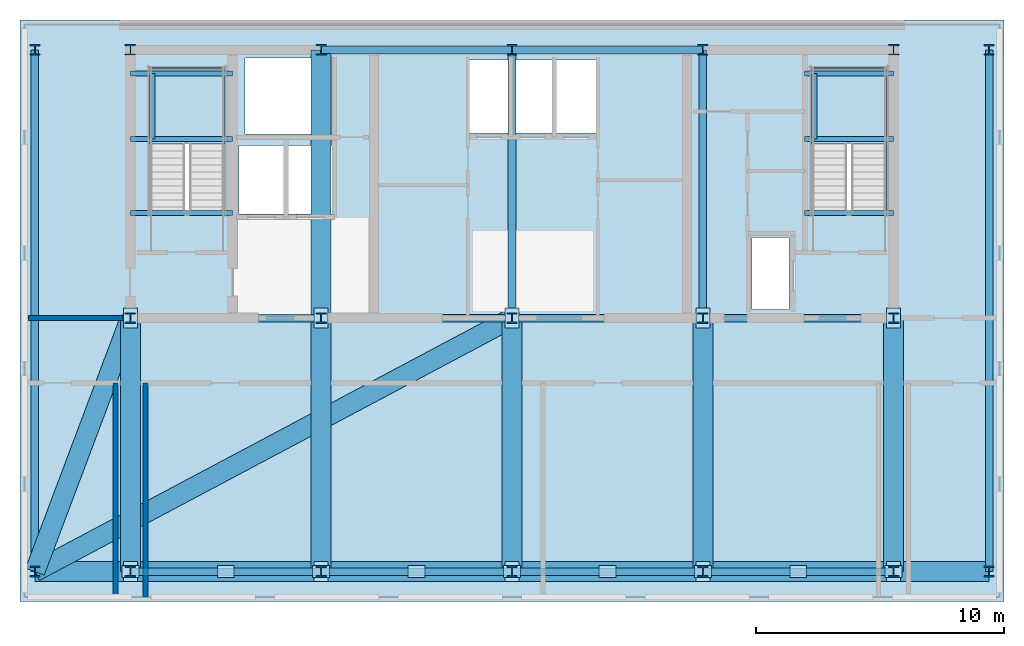
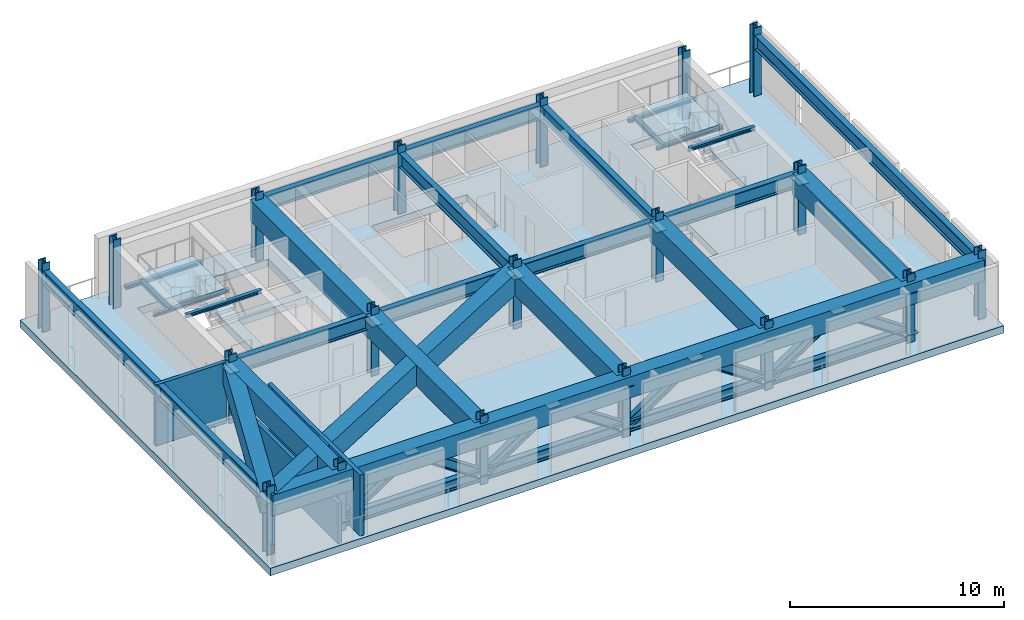
# One storey, part 1 of 8: 27 beams, 19 columns, 19 plates, 12 members, 3 slabs, 3 walls, 2 elements without a shape of their own.
"""IFC4 building model written with IfcOpenShell, lengths in metres."""

import ifcopenshell
import ifcopenshell.guid

model = None  # the IFC model being written
_history = None  # IfcOwnerHistory: only IFC2X3 demands one
_inside = {}  # id of a spatial element -> (the spatial element, [elements in it])
_under = {}  # id of a project, library or spatial element -> (it, [spatial elements below it])
_declared = {}  # id of a project -> (the project, [libraries it declares])
_typed = {}  # id of a type object -> (the type object, [elements of that type])
_made_of = {}  # id of a material, layer set ... -> (it, [elements and type objects made of it])


def new_model(schema):
    """Start an empty IFC model of exactly this schema.

    Asked for "IFC4X3", IfcOpenShell would pick the latest addendum, in which some entities
    have other attributes; the version numbers below select the first issue.
    IFC2X3 requires an IfcOwnerHistory on every rooted entity: one is made here for all.
    """
    global model, _history
    if schema == "IFC4X3":
        model = ifcopenshell.file(schema_version=(4, 3, 0, 0))
    else:
        model = ifcopenshell.file(schema=schema)
    _inside.clear()
    _under.clear()
    _declared.clear()
    _typed.clear()
    _made_of.clear()
    _history = None
    if model.schema == "IFC2X3":
        org = make("IfcOrganization", Name="unknown")
        user = make(
            "IfcPersonAndOrganization",
            ThePerson=make("IfcPerson", FamilyName="unknown"),
            TheOrganization=org,
        )
        app = make(
            "IfcApplication",
            ApplicationDeveloper=org,
            Version="unknown",
            ApplicationFullName="unknown",
            ApplicationIdentifier="unknown",
        )
        _history = make(
            "IfcOwnerHistory",
            OwningUser=user,
            OwningApplication=app,
            ChangeAction="ADDED",
            CreationDate=0,
        )
    return model


def make(cls, **values):
    """One entity of the class cls with the attributes given. An attribute that is None is left unset."""
    return model.create_entity(
        cls, **{name: value for name, value in values.items() if value is not None}
    )


def rooted(cls, **values):
    """An entity with a GlobalId (a new one), such as an element, a storey or a relation."""
    return make(cls, GlobalId=ifcopenshell.guid.new(), OwnerHistory=_history, **values)


def si_unit(unit_type, name, prefix=None):
    """IfcSIUnit, for example si_unit("LENGTHUNIT", "METRE", prefix="MILLI")."""
    return make("IfcSIUnit", UnitType=unit_type, Prefix=prefix, Name=name)


def assignment(units):
    """IfcUnitAssignment: the units of a project."""
    return None if units is None else make("IfcUnitAssignment", Units=units)


def point(xyz):
    """IfcCartesianPoint."""
    return None if xyz is None else make("IfcCartesianPoint", Coordinates=xyz)


def direction(xyz):
    """IfcDirection."""
    return None if xyz is None else make("IfcDirection", DirectionRatios=xyz)


def frame(location, z_axis=None, x_axis=None):
    """IfcAxis2Placement3D, a coordinate frame: its origin and axes. An axis left out is left unset."""
    return make(
        "IfcAxis2Placement3D",
        Location=point(location),
        Axis=direction(z_axis),
        RefDirection=direction(x_axis),
    )


def frame_2d(location, x_axis=None):
    """IfcAxis2Placement2D, a coordinate frame in the plane: its origin and x axis."""
    return make(
        "IfcAxis2Placement2D", Location=point(location), RefDirection=direction(x_axis)
    )


def origin():
    """The frame at (0, 0, 0) with its axes left unset."""
    return frame((0.0, 0.0, 0.0))


def origin_2d():
    """The frame at (0, 0) in the plane with its x axis left unset."""
    return frame_2d((0.0, 0.0))


def place(relative_to, where):
    """IfcLocalPlacement: puts the frame where relative to a parent placement (None: the world)."""
    return make(
        "IfcLocalPlacement", PlacementRelTo=relative_to, RelativePlacement=where
    )


def context(
    kind, dimensions, precision=None, world=None, true_north=None, identifier=None
):
    """IfcGeometricRepresentationContext, for example the 3D "Model" context."""
    return make(
        "IfcGeometricRepresentationContext",
        ContextIdentifier=identifier,
        ContextType=kind,
        CoordinateSpaceDimension=dimensions,
        Precision=precision,
        WorldCoordinateSystem=world,
        TrueNorth=true_north,
    )


def subcontext(parent, identifier, kind, view, scale=None):
    """IfcGeometricRepresentationSubContext, for example "Body" below "Model"."""
    return make(
        "IfcGeometricRepresentationSubContext",
        ContextIdentifier=identifier,
        ContextType=kind,
        ParentContext=parent,
        TargetScale=scale,
        TargetView=view,
    )


def project(units=None, contexts=None):
    """IfcProject with its units and contexts."""
    return rooted(
        "IfcProject",
        Name="project",
        RepresentationContexts=contexts,
        UnitsInContext=assignment(units),
    )


def spatial(cls, under=None, at=None, **own):
    """A site, building, storey or space (cls), placed at a placement, below another one or the project."""
    s = rooted(cls, ObjectPlacement=at, **own)
    if under is not None:
        _under.setdefault(under.id(), (under, []))[1].append(s)
    return s


def polyline(points):
    """IfcPolyline through the points."""
    return make("IfcPolyline", Points=[point(p) for p in points])


def profile(cls, at=None, kind="AREA", **sizes):
    """A parametric profile (cls). Its sizes go by their IFC names, for example OverallWidth=200.0."""
    return make(cls, ProfileType=kind, Position=at, **sizes)


def rectangle(**sizes):
    """IfcRectangleProfileDef."""
    return profile("IfcRectangleProfileDef", **sizes)


def i_section(**sizes):
    """IfcIShapeProfileDef."""
    return profile("IfcIShapeProfileDef", **sizes)


def outline(outer, holes=None, kind="AREA"):
    """IfcArbitraryClosedProfileDef: a profile drawn as a closed curve; with holes, ...WithVoids."""
    if holes is None:
        return make("IfcArbitraryClosedProfileDef", ProfileType=kind, OuterCurve=outer)
    return make(
        "IfcArbitraryProfileDefWithVoids",
        ProfileType=kind,
        OuterCurve=outer,
        InnerCurves=holes,
    )


def extrude(swept, where, along, depth):
    """IfcExtrudedAreaSolid: the profile swept, set in the frame where, extruded along a direction by depth."""
    return make(
        "IfcExtrudedAreaSolid",
        SweptArea=swept,
        Position=where,
        ExtrudedDirection=direction(along),
        Depth=depth,
    )


def shape(context_of_items, identifier, shape_type, items):
    """IfcShapeRepresentation: the items that make up one representation, for example the "Body"."""
    return make(
        "IfcShapeRepresentation",
        ContextOfItems=context_of_items,
        RepresentationIdentifier=identifier,
        RepresentationType=shape_type,
        Items=items,
    )


def material(Name=None, Category=None):
    """IfcMaterial."""
    return make("IfcMaterial", Name=Name, Category=Category)


def layer(
    of_material, thickness, ventilated=None, Name=None, Category=None, Priority=None
):
    """IfcMaterialLayer: one layer of a wall or slab, of a material (None: an air gap)."""
    return make(
        "IfcMaterialLayer",
        Material=of_material,
        LayerThickness=thickness,
        IsVentilated=ventilated,
        Name=Name,
        Category=Category,
        Priority=Priority,
    )


def layer_set(layers, Name=None):
    """IfcMaterialLayerSet."""
    return make("IfcMaterialLayerSet", MaterialLayers=layers, LayerSetName=Name)


def material_profile(
    of_material, cross_section, Name=None, Category=None, Priority=None
):
    """IfcMaterialProfile: a cross section and its material."""
    return make(
        "IfcMaterialProfile",
        Name=Name,
        Material=of_material,
        Profile=cross_section,
        Priority=Priority,
        Category=Category,
    )


def profile_set(profiles, Name=None, composite=None):
    """IfcMaterialProfileSet."""
    return make(
        "IfcMaterialProfileSet",
        Name=Name,
        MaterialProfiles=profiles,
        CompositeProfile=composite,
    )


def made_of(thing, what):
    """Note that an element or type object is made of a material, layer set ...; save() writes the relation."""
    if what is not None:
        _made_of.setdefault(what.id(), (what, []))[1].append(thing)
    return thing


def type_object(cls, material=None, **own):
    """A type object (cls), such as IfcWallType, which elements share."""
    return made_of(rooted(cls, **own), material)


def element(
    cls,
    number,
    at=None,
    inside=None,
    cuts=None,
    type_object=None,
    material=None,
    context=None,
    identifier="Body",
    shape_type=None,
    held_by="IfcProductDefinitionShape",
    body=None,
    shapes=None,
    **own,
):
    """One element of the class cls, such as IfcWall. Its Tag is "e" and its number.

    at: its placement. inside: the storey or other place that contains it. cuts: it is an
    opening in that element (IfcRelVoidsElement). A single representation is given by context,
    identifier, shape_type and body (its items); several are given by shapes. held_by: the class
    of the entity that holds the representations. save() writes the other relations.
    """
    e = rooted(cls, Tag="e%d" % number, ObjectPlacement=at, **own)
    if body is not None:
        shapes = [shape(context, identifier, shape_type, body)]
    if shapes is not None:
        e.Representation = make(held_by, Representations=shapes)
    if inside is not None:
        _inside.setdefault(inside.id(), (inside, []))[1].append(e)
    if cuts is not None:
        rooted(
            "IfcRelVoidsElement", RelatingBuildingElement=cuts, RelatedOpeningElement=e
        )
    if type_object is not None:
        _typed.setdefault(type_object.id(), (type_object, []))[1].append(e)
    return made_of(e, material)


def aggregate(whole, parts):
    """IfcRelAggregates: a whole, such as a stair, and the parts it consists of."""
    return rooted("IfcRelAggregates", RelatingObject=whole, RelatedObjects=parts)


def save(model, path):
    """Write the relations noted so far, then the file.

    IfcRelAggregates (storeys below a building ...), IfcRelContainedInSpatialStructure (elements
    in a storey), IfcRelDefinesByType, IfcRelAssociatesMaterial and IfcRelDeclares: one each for
    every whole, place, type object, material and project.
    """
    for whole, parts in _under.values():
        aggregate(whole, parts)
    for where, things in _inside.values():
        rooted(
            "IfcRelContainedInSpatialStructure",
            RelatedElements=things,
            RelatingStructure=where,
        )
    for kind, things in _typed.values():
        rooted("IfcRelDefinesByType", RelatedObjects=things, RelatingType=kind)
    for what, things in _made_of.values():
        rooted("IfcRelAssociatesMaterial", RelatedObjects=things, RelatingMaterial=what)
    for by, libraries in _declared.values():
        rooted("IfcRelDeclares", RelatingContext=by, RelatedDefinitions=libraries)
    model.write(path)


model = new_model("IFC4")

# Units and contexts
model_context = context("Model", 3, precision=1e-05, world=origin(), true_north=direction((0.0, 1.0)))
body_context = subcontext(model_context, "Body", "Model", "MODEL_VIEW")
ifc_project = project(units=[si_unit("LENGTHUNIT", "METRE"), si_unit("AREAUNIT", "SQUARE_METRE"), si_unit("VOLUMEUNIT", "CUBIC_METRE"), si_unit("PLANEANGLEUNIT", "RADIAN"), si_unit("MASSUNIT", "GRAM", prefix="KILO")], contexts=[model_context])

# Site, building, storey
site_placement = place(None, origin())
site = spatial("IfcSite", under=ifc_project, at=site_placement, CompositionType="ELEMENT")
building_placement = place(site_placement, origin())
building = spatial("IfcBuilding", under=site, at=building_placement, Name="Yelkora Congress Tower", CompositionType="ELEMENT")
storey_placement = place(building_placement, frame((0.0, 0.0, 255.199951171875)))
storey = spatial("IfcBuildingStorey", under=building, at=storey_placement, Name="L71", CompositionType="ELEMENT", Elevation=255.199951171875)

# Columns
ifc_material_1 = material(Name="Steel S460M", Category="steel")
ifc_material_profile_1 = material_profile(ifc_material_1, i_section(OverallWidth=0.412109375, OverallDepth=0.43505859375, WebThickness=0.035888671875, FlangeThickness=0.05810546875, FilletRadius=0.014892578125, at=origin_2d()), Name="HD 400x463")
ifc_profile_set_1 = profile_set([ifc_material_profile_1], Name="Steel S460M")
column_type = type_object("IfcColumnType", Name="COL-HD-463", PredefinedType="COLUMN", material=ifc_profile_set_1)
for number, where, z_axis, x_axis, name in (
    (1, (23.0400390625, 35.39990234375, 0.0), (0.0, 0.0, 1.0), (1.0, 0.0, 0.0), "L71 Mega Column MC-S1"),
    (2, (23.0400390625, 46.199951171875, 0.0), (0.0, 0.0, 1.0), (1.0, 0.0, 0.0), "L71 Mega Column MC-N1"),
    (3, (23.0400390625, 25.199951171875, 0.0), (0.0, 0.0, 1.0), (1.0, 0.0, 0.0), "L71 Mega Column MC-D1"),
    (4, (30.719970703125, 35.39990234375, 0.0), (0.0, 0.0, 1.0), (1.0, 0.0, 0.0), "L71 Mega Column MC-S2"),
    (5, (30.719970703125, 46.199951171875, 0.0), (0.0, 0.0, 1.0), (1.0, 0.0, 0.0), "L71 Mega Column MC-N2"),
    (6, (30.719970703125, 25.199951171875, 0.0), (0.0, 0.0, 1.0), (1.0, 0.0, 0.0), "L71 Mega Column MC-D2"),
    (7, (38.39990234375, 35.39990234375, 0.0), (0.0, 0.0, 1.0), (1.0, 0.0, 0.0), "L71 Mega Column MC-S3"),
    (8, (38.39990234375, 46.199951171875, 0.0), (0.0, 0.0, 1.0), (1.0, 0.0, 0.0), "L71 Mega Column MC-N3"),
    (9, (38.39990234375, 25.199951171875, 0.0), (0.0, 0.0, 1.0), (1.0, 0.0, 0.0), "L71 Mega Column MC-D3"),
    (10, (46.080078125, 35.39990234375, 0.0), (0.0, 0.0, 1.0), (1.0, 0.0, 0.0), "L71 Mega Column MC-S4"),
    (11, (46.080078125, 46.199951171875, 0.0), (0.0, 0.0, 1.0), (1.0, 0.0, 0.0), "L71 Mega Column MC-N4"),
    (12, (46.080078125, 25.199951171875, 0.0), (0.0, 0.0, 1.0), (1.0, 0.0, 0.0), "L71 Mega Column MC-D4"),
    (13, (53.760009765625, 35.39990234375, 0.0), (0.0, 0.0, 1.0), (1.0, 0.0, 0.0), "L71 Mega Column MC-S5"),
    (14, (53.760009765625, 46.199951171875, 0.0), (0.0, 0.0, 1.0), (1.0, 0.0, 0.0), "L71 Mega Column MC-N5"),
    (15, (53.760009765625, 25.199951171875, 0.0), (0.0, 0.0, 1.0), (1.0, 0.0, 0.0), "L71 Mega Column MC-D5"),
    (16, (19.199951171875, 25.199951171875, 0.0), (0.0, 0.0, 1.0), (1.0, 0.0, 0.0), "L71 Mega Column MC-F1"),
    (17, (57.60009765625, 25.199951171875, 0.0), (0.0, 0.0, 1.0), (1.0, 0.0, 0.0), "L71 Mega Column MC-F2"),
    (18, (19.199951171875, 46.199951171875, 0.0), (0.0, 0.0, 1.0), (1.0, 0.0, 0.0), "L71 Mega Column MC-F3"),
    (19, (57.60009765625, 46.199951171875, 0.0), (0.0, 0.0, 1.0), (1.0, 0.0, 0.0), "L71 Mega Column MC-F4"),
):
    element("IfcColumn", number, at=place(storey_placement, frame(where, z_axis=z_axis, x_axis=x_axis)), inside=storey, type_object=column_type, Name=name, PredefinedType="COLUMN", context=body_context, shape_type="SweptSolid", body=[
        extrude(i_section(OverallWidth=0.412109375, OverallDepth=0.43505859375, WebThickness=0.035888671875, FlangeThickness=0.05810546875, FilletRadius=0.014892578125, at=origin_2d()), origin(), (0.0, 0.0, 1.0), 3.900146484375),
    ])

# Beams
ifc_material_2 = material(Name="Steel S355J2", Category="steel")
ifc_material_profile_2 = material_profile(ifc_material_2, i_section(OverallWidth=0.199951171875, OverallDepth=0.18994140625, WebThickness=0.006591796875, FlangeThickness=0.010009765625, FilletRadius=0.01806640625, at=origin_2d()), Name="HEA 200")
ifc_profile_set_2 = profile_set([ifc_material_profile_2], Name="Steel S355J2")
beam_type_1 = type_object("IfcBeamType", Name="BM-LAND-HEA200", PredefinedType="BEAM", material=ifc_profile_set_2)
for number, where, z_axis, x_axis, name in (
    (20, (23.0400390625, 42.6201171875, 1.634765625), (1.0, 0.0, 0.0), (0.0, 1.0, 0.0), "ST-01 L71 Landing Header Beam 1S"),
    (21, (23.0400390625, 45.25, 1.634765625), (1.0, 0.0, 0.0), (0.0, 1.0, 0.0), "ST-01 L71 Landing Header Beam 1N"),
):
    element("IfcBeam", number, at=place(storey_placement, frame(where, z_axis=z_axis, x_axis=x_axis)), inside=storey, type_object=beam_type_1, Name=name, PredefinedType="BEAM", context=body_context, shape_type="SweptSolid", body=[
        extrude(i_section(OverallWidth=0.199951171875, OverallDepth=0.18994140625, WebThickness=0.006591796875, FlangeThickness=0.010009765625, FilletRadius=0.01806640625, at=origin_2d()), origin(), (0.0, 0.0, 1.0), 4.10986328125),
    ])
beam_1_placement = place(storey_placement, frame((23.93994140625, 42.6201171875, 1.634765625), z_axis=(0.0, 1.0, 0.0), x_axis=(-1.0, 0.0, 0.0)))
element("IfcBeam", 22, at=beam_1_placement, inside=storey, type_object=beam_type_1, Name="ST-01 L71 Landing Trimmer Beam 1M", PredefinedType="BEAM", context=body_context, shape_type="SweptSolid", body=[
    extrude(i_section(OverallWidth=0.199951171875, OverallDepth=0.18994140625, WebThickness=0.006591796875, FlangeThickness=0.010009765625, FilletRadius=0.01806640625, at=origin_2d()), origin(), (0.0, 0.0, 1.0), 2.6298828125),
])
beam_2_placement = place(storey_placement, frame((23.0400390625, 39.639892578125, 3.384765625), z_axis=(1.0, 0.0, 0.0), x_axis=(0.0, 1.0, 0.0)))
element("IfcBeam", 23, at=beam_2_placement, inside=storey, type_object=beam_type_1, Name="ST-01 L71 Floor Arrival Stringer Header Beam", PredefinedType="BEAM", context=body_context, shape_type="SweptSolid", body=[
    extrude(i_section(OverallWidth=0.199951171875, OverallDepth=0.18994140625, WebThickness=0.006591796875, FlangeThickness=0.010009765625, FilletRadius=0.01806640625, at=origin_2d()), origin(), (0.0, 0.0, 1.0), 4.10986328125),
])
for number, where, z_axis, x_axis, name in (
    (24, (50.179931640625, 42.6201171875, 1.634765625), (1.0, 0.0, 0.0), (0.0, 1.0, 0.0), "ST-02 L71 Landing Header Beam 1S"),
    (25, (50.179931640625, 45.25, 1.634765625), (1.0, 0.0, 0.0), (0.0, 1.0, 0.0), "ST-02 L71 Landing Header Beam 1N"),
):
    element("IfcBeam", number, at=place(storey_placement, frame(where, z_axis=z_axis, x_axis=x_axis)), inside=storey, type_object=beam_type_1, Name=name, PredefinedType="BEAM", context=body_context, shape_type="SweptSolid", body=[
        extrude(i_section(OverallWidth=0.199951171875, OverallDepth=0.18994140625, WebThickness=0.006591796875, FlangeThickness=0.010009765625, FilletRadius=0.01806640625, at=origin_2d()), origin(), (0.0, 0.0, 1.0), 3.580078125),
    ])
beam_3_placement = place(storey_placement, frame((50.580078125, 42.6201171875, 1.634765625), z_axis=(0.0, 1.0, 0.0), x_axis=(-1.0, 0.0, 0.0)))
element("IfcBeam", 26, at=beam_3_placement, inside=storey, type_object=beam_type_1, Name="ST-02 L71 Landing Trimmer Beam 1M", PredefinedType="BEAM", context=body_context, shape_type="SweptSolid", body=[
    extrude(i_section(OverallWidth=0.199951171875, OverallDepth=0.18994140625, WebThickness=0.006591796875, FlangeThickness=0.010009765625, FilletRadius=0.01806640625, at=origin_2d()), origin(), (0.0, 0.0, 1.0), 2.6298828125),
])
beam_4_placement = place(storey_placement, frame((50.179931640625, 39.639892578125, 3.384765625), z_axis=(1.0, 0.0, 0.0), x_axis=(0.0, 1.0, 0.0)))
element("IfcBeam", 27, at=beam_4_placement, inside=storey, type_object=beam_type_1, Name="ST-02 L71 Floor Arrival Stringer Header Beam", PredefinedType="BEAM", context=body_context, shape_type="SweptSolid", body=[
    extrude(i_section(OverallWidth=0.199951171875, OverallDepth=0.18994140625, WebThickness=0.006591796875, FlangeThickness=0.010009765625, FilletRadius=0.01806640625, at=origin_2d()), origin(), (0.0, 0.0, 1.0), 3.580078125),
])
ifc_material_profile_3 = material_profile(ifc_material_1, i_section(OverallWidth=0.302978515625, OverallDepth=0.81396484375, WebThickness=0.02099609375, FlangeThickness=0.0400390625, FilletRadius=0.030029296875, at=origin_2d()), Name="HEM 800")
ifc_profile_set_3 = profile_set([ifc_material_profile_3], Name="Steel S460M")
beam_type_2 = type_object("IfcBeamType", Name="BM-XFER-HEM800", PredefinedType="BEAM", material=ifc_profile_set_3)
beam_5_placement = place(storey_placement, frame((30.719970703125, 46.199951171875, 3.072998046875), z_axis=(1.0, 0.0, 0.0), x_axis=(0.0, 1.0, 0.0)))
element("IfcBeam", 28, at=beam_5_placement, inside=storey, type_object=beam_type_2, Name="L71 Core North Girder 3", PredefinedType="BEAM", context=body_context, shape_type="SweptSolid", body=[
    extrude(i_section(OverallWidth=0.302978515625, OverallDepth=0.81396484375, WebThickness=0.02099609375, FlangeThickness=0.0400390625, FilletRadius=0.030029296875, at=origin_2d()), origin(), (0.0, 0.0, 1.0), 7.679931640625),
])
beam_6_placement = place(storey_placement, frame((38.39990234375, 46.199951171875, 3.072998046875), z_axis=(1.0, 0.0, 0.0), x_axis=(0.0, 1.0, 0.0)))
element("IfcBeam", 29, at=beam_6_placement, inside=storey, type_object=beam_type_2, Name="L71 Core North Girder 4", PredefinedType="BEAM", context=body_context, shape_type="SweptSolid", body=[
    extrude(i_section(OverallWidth=0.302978515625, OverallDepth=0.81396484375, WebThickness=0.02099609375, FlangeThickness=0.0400390625, FilletRadius=0.030029296875, at=origin_2d()), origin(), (0.0, 0.0, 1.0), 7.68017578125),
])
for number, where, z_axis, x_axis, name in (
    (30, (23.0400390625, 35.39990234375, 3.072998046875), (1.0, 0.0, 0.0), (0.0, 1.0, 0.0), "L71 Core South Girder 1"),
    (31, (30.719970703125, 35.39990234375, 3.072998046875), (1.0, 0.0, 0.0), (0.0, 1.0, 0.0), "L71 Core South Girder 2"),
):
    element("IfcBeam", number, at=place(storey_placement, frame(where, z_axis=z_axis, x_axis=x_axis)), inside=storey, type_object=beam_type_2, Name=name, PredefinedType="BEAM", context=body_context, shape_type="SweptSolid", body=[
        extrude(i_section(OverallWidth=0.302978515625, OverallDepth=0.81396484375, WebThickness=0.02099609375, FlangeThickness=0.0400390625, FilletRadius=0.030029296875, at=origin_2d()), origin(), (0.0, 0.0, 1.0), 7.679931640625),
    ])
beam_7_placement = place(storey_placement, frame((38.39990234375, 35.39990234375, 3.072998046875), z_axis=(1.0, 0.0, 0.0), x_axis=(0.0, 1.0, 0.0)))
element("IfcBeam", 32, at=beam_7_placement, inside=storey, type_object=beam_type_2, Name="L71 Core South Girder 3", PredefinedType="BEAM", context=body_context, shape_type="SweptSolid", body=[
    extrude(i_section(OverallWidth=0.302978515625, OverallDepth=0.81396484375, WebThickness=0.02099609375, FlangeThickness=0.0400390625, FilletRadius=0.030029296875, at=origin_2d()), origin(), (0.0, 0.0, 1.0), 7.68017578125),
])
beam_8_placement = place(storey_placement, frame((46.080078125, 35.39990234375, 3.072998046875), z_axis=(1.0, 0.0, 0.0), x_axis=(0.0, 1.0, 0.0)))
element("IfcBeam", 33, at=beam_8_placement, inside=storey, type_object=beam_type_2, Name="L71 Core South Girder 4", PredefinedType="BEAM", context=body_context, shape_type="SweptSolid", body=[
    extrude(i_section(OverallWidth=0.302978515625, OverallDepth=0.81396484375, WebThickness=0.02099609375, FlangeThickness=0.0400390625, FilletRadius=0.030029296875, at=origin_2d()), origin(), (0.0, 0.0, 1.0), 7.679931640625),
])
for number, where, z_axis, x_axis, name in (
    (34, (38.39990234375, 35.39990234375, 3.072998046875), (0.0, 1.0, 0.0), (-1.0, 0.0, 0.0), "L71 Core Tie Girder MC-S3"),
    (35, (46.080078125, 35.39990234375, 3.072998046875), (0.0, 1.0, 0.0), (-1.0, 0.0, 0.0), "L71 Core Tie Girder MC-S4"),
):
    element("IfcBeam", number, at=place(storey_placement, frame(where, z_axis=z_axis, x_axis=x_axis)), inside=storey, type_object=beam_type_2, Name=name, PredefinedType="BEAM", context=body_context, shape_type="SweptSolid", body=[
        extrude(i_section(OverallWidth=0.302978515625, OverallDepth=0.81396484375, WebThickness=0.02099609375, FlangeThickness=0.0400390625, FilletRadius=0.030029296875, at=origin_2d()), origin(), (0.0, 0.0, 1.0), 10.800048828125),
    ])
for number, where, z_axis, x_axis, name in (
    (36, (19.199951171875, 25.199951171875, 3.072998046875), (0.0, 1.0, 0.0), (-1.0, 0.0, 0.0), "L71 Neck Flank Girder MC-F1"),
    (37, (57.60009765625, 25.199951171875, 3.072998046875), (0.0, 1.0, 0.0), (-1.0, 0.0, 0.0), "L71 Neck Flank Girder MC-F2"),
):
    element("IfcBeam", number, at=place(storey_placement, frame(where, z_axis=z_axis, x_axis=x_axis)), inside=storey, type_object=beam_type_2, Name=name, PredefinedType="BEAM", context=body_context, shape_type="SweptSolid", body=[
        extrude(i_section(OverallWidth=0.302978515625, OverallDepth=0.81396484375, WebThickness=0.02099609375, FlangeThickness=0.0400390625, FilletRadius=0.030029296875, at=origin_2d()), origin(), (0.0, 0.0, 1.0), 21.0),
    ])
ifc_material_3 = material(Name="Concrete C60/75", Category="concrete")
ifc_material_profile_4 = material_profile(ifc_material_3, rectangle(XDim=0.800048828125, YDim=1.199951171875, at=origin_2d()), Name="RC 800x1200")
ifc_profile_set_4 = profile_set([ifc_material_profile_4], Name="Concrete C60/75")
beam_type_3 = type_object("IfcBeamType", Name="BM-XFER-RC1200", PredefinedType="BEAM", material=ifc_profile_set_4)
beam_9_placement = place(storey_placement, frame((38.39990234375, 35.39990234375, 2.880126953125), z_axis=(-0.883116155634, -0.469154404922, 0.0), x_axis=(0.469154404922, -0.883116155634, 0.0)))
element("IfcBeam", 38, at=beam_9_placement, inside=storey, type_object=beam_type_3, Name="L71 Transfer Backspan Girder S01", PredefinedType="BEAM", context=body_context, shape_type="SweptSolid", body=[
    extrude(rectangle(XDim=0.800048828125, YDim=1.199951171875, at=origin_2d()), origin(), (0.0, 0.0, 1.0), 21.7412109375),
])
beam_10_placement = place(storey_placement, frame((23.0400390625, 35.39990234375, 2.880126953125), z_axis=(-0.352338299189, -0.935872706582, 0.0), x_axis=(0.935872706582, -0.352338299189, 0.0)))
element("IfcBeam", 39, at=beam_10_placement, inside=storey, type_object=beam_type_3, Name="L71 Transfer Backspan Girder S02", PredefinedType="BEAM", context=body_context, shape_type="SweptSolid", body=[
    extrude(rectangle(XDim=0.800048828125, YDim=1.199951171875, at=origin_2d()), origin(), (0.0, 0.0, 1.0), 10.89892578125),
])
for number, where, z_axis, x_axis, name in (
    (40, (23.0400390625, 35.39990234375, 2.880126953125), (0.0, -1.0, 0.0), (1.0, 0.0, 0.0), "L71 Transfer Backspan Girder S03"),
    (41, (30.719970703125, 35.39990234375, 2.880126953125), (0.0, -1.0, 0.0), (1.0, 0.0, 0.0), "L71 Transfer Backspan Girder S04"),
    (42, (38.39990234375, 35.39990234375, 2.880126953125), (0.0, -1.0, 0.0), (1.0, 0.0, 0.0), "L71 Transfer Backspan Girder S05"),
    (43, (46.080078125, 35.39990234375, 2.880126953125), (0.0, -1.0, 0.0), (1.0, 0.0, 0.0), "L71 Transfer Backspan Girder S06"),
    (44, (53.760009765625, 35.39990234375, 2.880126953125), (0.0, -1.0, 0.0), (1.0, 0.0, 0.0), "L71 Transfer Backspan Girder S07"),
):
    element("IfcBeam", number, at=place(storey_placement, frame(where, z_axis=z_axis, x_axis=x_axis)), inside=storey, type_object=beam_type_3, Name=name, PredefinedType="BEAM", context=body_context, shape_type="SweptSolid", body=[
        extrude(rectangle(XDim=0.800048828125, YDim=1.199951171875, at=origin_2d()), origin(), (0.0, 0.0, 1.0), 10.199951171875),
    ])
beam_11_placement = place(storey_placement, frame((30.719970703125, 35.39990234375, 2.880126953125), z_axis=(0.0, 1.0, 0.0), x_axis=(-1.0, 0.0, 0.0)))
element("IfcBeam", 45, at=beam_11_placement, inside=storey, type_object=beam_type_3, Name="L71 Transfer Backspan Girder N04", PredefinedType="BEAM", context=body_context, shape_type="SweptSolid", body=[
    extrude(rectangle(XDim=0.800048828125, YDim=1.199951171875, at=origin_2d()), origin(), (0.0, 0.0, 1.0), 10.800048828125),
])
beam_12_placement = place(storey_placement, frame((57.60009765625, 25.199951171875, 2.880126953125), z_axis=(-1.0, 0.0, 0.0), x_axis=(0.0, -1.0, 0.0)))
element("IfcBeam", 46, at=beam_12_placement, inside=storey, type_object=beam_type_3, Name="L71 Transfer Backspan Girder W01", PredefinedType="BEAM", context=body_context, shape_type="SweptSolid", body=[
    extrude(rectangle(XDim=0.800048828125, YDim=1.199951171875, at=origin_2d()), origin(), (0.0, 0.0, 1.0), 38.400146484375),
])

# Members
ifc_material_profile_5 = material_profile(ifc_material_2, i_section(OverallWidth=0.300048828125, OverallDepth=0.5, WebThickness=0.014404296875, FlangeThickness=0.028076171875, FilletRadius=0.027099609375, at=origin_2d()), Name="HEB 500")
ifc_profile_set_5 = profile_set([ifc_material_profile_5], Name="Steel S355J2")
member_type_1 = type_object("IfcMemberType", Name="MEM-BRACE-HEB500", PredefinedType="BRACE", material=ifc_profile_set_5)
member_1_placement = place(storey_placement, frame((23.0400390625, 25.199951171875, 0.449951171875), z_axis=(0.830031277085, 0.0, 0.557716844878), x_axis=(0.0, 1.0, 0.0)))
element("IfcMember", 47, at=member_1_placement, inside=storey, type_object=member_type_1, Name="N4 L71 Outrigger Belt Diagonal 1A", PredefinedType="BRACE", context=body_context, shape_type="SweptSolid", body=[
    extrude(i_section(OverallWidth=0.300048828125, OverallDepth=0.5, WebThickness=0.014404296875, FlangeThickness=0.028076171875, FilletRadius=0.027099609375, at=origin_2d()), origin(), (0.0, 0.0, 1.0), 4.626220703125),
])
for number, where, z_axis, x_axis, name in (
    (48, (30.719970703125, 25.199951171875, 0.449951171875), (-0.830047691294, 0.0, 0.557692415385), (0.0, -1.0, 0.0), "N4 L71 Outrigger Belt Diagonal 1B"),
    (49, (30.719970703125, 25.199951171875, 0.449951171875), (0.830047691294, 0.0, 0.557692415385), (0.0, 1.0, 0.0), "N4 L71 Outrigger Belt Diagonal 2A"),
):
    element("IfcMember", number, at=place(storey_placement, frame(where, z_axis=z_axis, x_axis=x_axis)), inside=storey, type_object=member_type_1, Name=name, PredefinedType="BRACE", context=body_context, shape_type="SweptSolid", body=[
        extrude(i_section(OverallWidth=0.300048828125, OverallDepth=0.5, WebThickness=0.014404296875, FlangeThickness=0.028076171875, FilletRadius=0.027099609375, at=origin_2d()), origin(), (0.0, 0.0, 1.0), 4.62646484375),
    ])
member_2_placement = place(storey_placement, frame((38.39990234375, 25.199951171875, 0.449951171875), z_axis=(-0.830031277085, 0.0, 0.557716844878), x_axis=(0.0, -1.0, 0.0)))
element("IfcMember", 50, at=member_2_placement, inside=storey, type_object=member_type_1, Name="N4 L71 Outrigger Belt Diagonal 2B", PredefinedType="BRACE", context=body_context, shape_type="SweptSolid", body=[
    extrude(i_section(OverallWidth=0.300048828125, OverallDepth=0.5, WebThickness=0.014404296875, FlangeThickness=0.028076171875, FilletRadius=0.027099609375, at=origin_2d()), origin(), (0.0, 0.0, 1.0), 4.626220703125),
])
for number, where, z_axis, x_axis, name in (
    (51, (38.39990234375, 25.199951171875, 0.449951171875), (0.830047691294, 0.0, 0.557692415385), (0.0, 1.0, 0.0), "N4 L71 Outrigger Belt Diagonal 3A"),
    (52, (46.080078125, 25.199951171875, 0.449951171875), (-0.830047691294, 0.0, 0.557692415385), (0.0, -1.0, 0.0), "N4 L71 Outrigger Belt Diagonal 3B"),
):
    element("IfcMember", number, at=place(storey_placement, frame(where, z_axis=z_axis, x_axis=x_axis)), inside=storey, type_object=member_type_1, Name=name, PredefinedType="BRACE", context=body_context, shape_type="SweptSolid", body=[
        extrude(i_section(OverallWidth=0.300048828125, OverallDepth=0.5, WebThickness=0.014404296875, FlangeThickness=0.028076171875, FilletRadius=0.027099609375, at=origin_2d()), origin(), (0.0, 0.0, 1.0), 4.62646484375),
    ])
member_3_placement = place(storey_placement, frame((46.080078125, 25.199951171875, 0.449951171875), z_axis=(0.830031277085, 0.0, 0.557716844878), x_axis=(0.0, 1.0, 0.0)))
element("IfcMember", 53, at=member_3_placement, inside=storey, type_object=member_type_1, Name="N4 L71 Outrigger Belt Diagonal 4A", PredefinedType="BRACE", context=body_context, shape_type="SweptSolid", body=[
    extrude(i_section(OverallWidth=0.300048828125, OverallDepth=0.5, WebThickness=0.014404296875, FlangeThickness=0.028076171875, FilletRadius=0.027099609375, at=origin_2d()), origin(), (0.0, 0.0, 1.0), 4.626220703125),
])
member_4_placement = place(storey_placement, frame((53.760009765625, 25.199951171875, 0.449951171875), z_axis=(-0.830047691294, 0.0, 0.557692415385), x_axis=(0.0, -1.0, 0.0)))
element("IfcMember", 54, at=member_4_placement, inside=storey, type_object=member_type_1, Name="N4 L71 Outrigger Belt Diagonal 4B", PredefinedType="BRACE", context=body_context, shape_type="SweptSolid", body=[
    extrude(i_section(OverallWidth=0.300048828125, OverallDepth=0.5, WebThickness=0.014404296875, FlangeThickness=0.028076171875, FilletRadius=0.027099609375, at=origin_2d()), origin(), (0.0, 0.0, 1.0), 4.62646484375),
])
ifc_material_profile_6 = material_profile(ifc_material_1, i_section(OverallWidth=0.304931640625, OverallDepth=0.6201171875, WebThickness=0.02099609375, FlangeThickness=0.0400390625, FilletRadius=0.027099609375, at=origin_2d()), Name="HEM 600")
ifc_profile_set_6 = profile_set([ifc_material_profile_6], Name="Steel S460M")
member_type_2 = type_object("IfcMemberType", Name="MEM-CHORD-HEM600", PredefinedType="CHORD", material=ifc_profile_set_6)
for number, where, z_axis, x_axis, name in (
    (55, (23.0400390625, 25.199951171875, 0.449951171875), (1.0, 0.0, 0.0), (0.0, 1.0, 0.0), "N4 L71 Belt Truss Chord 1"),
    (56, (30.719970703125, 25.199951171875, 0.449951171875), (1.0, 0.0, 0.0), (0.0, 1.0, 0.0), "N4 L71 Belt Truss Chord 2"),
):
    element("IfcMember", number, at=place(storey_placement, frame(where, z_axis=z_axis, x_axis=x_axis)), inside=storey, type_object=member_type_2, Name=name, PredefinedType="CHORD", context=body_context, shape_type="SweptSolid", body=[
        extrude(i_section(OverallWidth=0.304931640625, OverallDepth=0.6201171875, WebThickness=0.02099609375, FlangeThickness=0.0400390625, FilletRadius=0.027099609375, at=origin_2d()), origin(), (0.0, 0.0, 1.0), 7.679931640625),
    ])
member_5_placement = place(storey_placement, frame((38.39990234375, 25.199951171875, 0.449951171875), z_axis=(1.0, 0.0, 0.0), x_axis=(0.0, 1.0, 0.0)))
element("IfcMember", 57, at=member_5_placement, inside=storey, type_object=member_type_2, Name="N4 L71 Belt Truss Chord 3", PredefinedType="CHORD", context=body_context, shape_type="SweptSolid", body=[
    extrude(i_section(OverallWidth=0.304931640625, OverallDepth=0.6201171875, WebThickness=0.02099609375, FlangeThickness=0.0400390625, FilletRadius=0.027099609375, at=origin_2d()), origin(), (0.0, 0.0, 1.0), 7.68017578125),
])
member_6_placement = place(storey_placement, frame((46.080078125, 25.199951171875, 0.449951171875), z_axis=(1.0, 0.0, 0.0), x_axis=(0.0, 1.0, 0.0)))
element("IfcMember", 58, at=member_6_placement, inside=storey, type_object=member_type_2, Name="N4 L71 Belt Truss Chord 4", PredefinedType="CHORD", context=body_context, shape_type="SweptSolid", body=[
    extrude(i_section(OverallWidth=0.304931640625, OverallDepth=0.6201171875, WebThickness=0.02099609375, FlangeThickness=0.0400390625, FilletRadius=0.027099609375, at=origin_2d()), origin(), (0.0, 0.0, 1.0), 7.679931640625),
])

# Plates
ifc_layer_1 = layer(ifc_material_2, 0.050048828125)
ifc_layer_set_1 = layer_set([ifc_layer_1], Name="Steel S355J2")
plate_type_1 = type_object("IfcPlateType", Name="PLT-GUSSET-680x480", PredefinedType="USERDEFINED", material=ifc_layer_set_1)
for number, where, z_axis, x_axis, name in (
    (59, (26.8798828125, 25.199951171875, 3.0048828125), (0.0, 0.0, 1.0), (1.0, 0.0, 0.0), "N4 L71 Belt Truss Apex Gusset Plate 1"),
    (60, (23.0400390625, 25.199951171875, 0.4248046875), (0.0, 0.0, 1.0), (1.0, 0.0, 0.0), "N4 L71 Belt Truss Foot Gusset Plate 1L"),
    (61, (34.56005859375, 25.199951171875, 3.0048828125), (0.0, 0.0, 1.0), (1.0, 0.0, 0.0), "N4 L71 Belt Truss Apex Gusset Plate 2"),
    (62, (30.719970703125, 25.199951171875, 0.4248046875), (0.0, 0.0, 1.0), (1.0, 0.0, 0.0), "N4 L71 Belt Truss Foot Gusset Plate 2L"),
    (63, (42.239990234375, 25.199951171875, 3.0048828125), (0.0, 0.0, 1.0), (1.0, 0.0, 0.0), "N4 L71 Belt Truss Apex Gusset Plate 3"),
    (64, (38.39990234375, 25.199951171875, 0.4248046875), (0.0, 0.0, 1.0), (1.0, 0.0, 0.0), "N4 L71 Belt Truss Foot Gusset Plate 3L"),
    (65, (49.919921875, 25.199951171875, 3.0048828125), (0.0, 0.0, 1.0), (1.0, 0.0, 0.0), "N4 L71 Belt Truss Apex Gusset Plate 4"),
    (66, (46.080078125, 25.199951171875, 0.4248046875), (0.0, 0.0, 1.0), (1.0, 0.0, 0.0), "N4 L71 Belt Truss Foot Gusset Plate 4L"),
    (67, (53.760009765625, 25.199951171875, 0.4248046875), (0.0, 0.0, 1.0), (1.0, 0.0, 0.0), "N4 L71 Belt Truss Foot Gusset Plate R"),
):
    element("IfcPlate", number, at=place(storey_placement, frame(where, z_axis=z_axis, x_axis=x_axis)), inside=storey, type_object=plate_type_1, Name=name, ObjectType="GUSSET_PLATE", PredefinedType="USERDEFINED", context=body_context, shape_type="SweptSolid", body=[
        extrude(rectangle(XDim=0.679931640625, YDim=0.47998046875, at=origin_2d()), origin(), (0.0, 0.0, 1.0), 0.050048828125),
    ])
ifc_layer_2 = layer(ifc_material_1, 0.06005859375)
ifc_layer_set_2 = layer_set([ifc_layer_2], Name="Steel S460M")
plate_type_2 = type_object("IfcPlateType", Name="PLT-GUSSET-800x560", PredefinedType="USERDEFINED", material=ifc_layer_set_2)
for number, where, z_axis, x_axis, name in (
    (68, (23.0400390625, 35.39990234375, 2.89990234375), (0.0, 0.0, 1.0), (0.0, 1.0, 0.0), "N4 Outrigger End Gusset Plate 1CT"),
    (69, (23.0400390625, 25.199951171875, 2.89990234375), (0.0, 0.0, 1.0), (0.0, 1.0, 0.0), "N4 Outrigger End Gusset Plate 1ST"),
    (70, (30.719970703125, 35.39990234375, 2.89990234375), (0.0, 0.0, 1.0), (0.0, 1.0, 0.0), "N4 Outrigger End Gusset Plate 2CT"),
    (71, (30.719970703125, 25.199951171875, 2.89990234375), (0.0, 0.0, 1.0), (0.0, 1.0, 0.0), "N4 Outrigger End Gusset Plate 2ST"),
    (72, (38.39990234375, 35.39990234375, 2.89990234375), (0.0, 0.0, 1.0), (0.0, 1.0, 0.0), "N4 Outrigger End Gusset Plate 3CT"),
    (73, (38.39990234375, 25.199951171875, 2.89990234375), (0.0, 0.0, 1.0), (0.0, 1.0, 0.0), "N4 Outrigger End Gusset Plate 3ST"),
    (74, (46.080078125, 35.39990234375, 2.89990234375), (0.0, 0.0, 1.0), (0.0, 1.0, 0.0), "N4 Outrigger End Gusset Plate 4CT"),
    (75, (46.080078125, 25.199951171875, 2.89990234375), (0.0, 0.0, 1.0), (0.0, 1.0, 0.0), "N4 Outrigger End Gusset Plate 4ST"),
    (76, (53.760009765625, 35.39990234375, 2.89990234375), (0.0, 0.0, 1.0), (0.0, 1.0, 0.0), "N4 Outrigger End Gusset Plate 5CT"),
    (77, (53.760009765625, 25.199951171875, 2.89990234375), (0.0, 0.0, 1.0), (0.0, 1.0, 0.0), "N4 Outrigger End Gusset Plate 5ST"),
):
    element("IfcPlate", number, at=place(storey_placement, frame(where, z_axis=z_axis, x_axis=x_axis)), inside=storey, type_object=plate_type_2, Name=name, ObjectType="GUSSET_PLATE", PredefinedType="USERDEFINED", context=body_context, shape_type="SweptSolid", body=[
        extrude(rectangle(XDim=0.800048828125, YDim=0.56005859375, at=origin_2d()), origin(), (0.0, 0.0, 1.0), 0.06005859375),
    ])

# Stair, slab
ifc_material_4 = material(Name="Concrete C40/50", Category="concrete")
stair_type = type_object("IfcStairType", Name="STAIR-HT-1420-R22-177", PredefinedType="HALF_TURN_STAIR", material=ifc_material_4)
stair_1_placement = place(storey_placement, origin())
stair_1 = element("IfcStair", 78, at=stair_1_placement, inside=storey, type_object=stair_type, Name="West Core Protected Exit Stair ST-01 (L71)", PredefinedType="HALF_TURN_STAIR")
ifc_layer_3 = layer(ifc_material_4, 0.219970703125)
ifc_layer_set_3 = layer_set([ifc_layer_3], Name="Concrete C40/50")
slab_type_1 = type_object("IfcSlabType", Name="SLAB-LANDING-220", PredefinedType="LANDING", material=ifc_layer_set_3)
slab_1_placement = place(storey_placement, frame((0.0, 0.0, 1.72998046875)))
slab_1 = element("IfcSlab", 79, at=slab_1_placement, type_object=slab_type_1, Name="ST-01 L71 Half Landing 1", PredefinedType="LANDING", context=body_context, shape_type="SweptSolid", body=[
    extrude(outline(polyline([(26.820068359375, 42.39990234375), (26.820068359375, 45.469970703125), (23.820068359375, 45.469970703125), (23.820068359375, 42.39990234375), (26.820068359375, 42.39990234375)])), origin(), (0.0, 0.0, 1.0), 0.219970703125),
])
aggregate(stair_1, [slab_1])

stair_2_placement = place(storey_placement, origin())
stair_2 = element("IfcStair", 80, at=stair_2_placement, inside=storey, type_object=stair_type, Name="East Core Protected Exit Stair ST-02 (L71)", PredefinedType="HALF_TURN_STAIR")
slab_2_placement = place(storey_placement, frame((0.0, 0.0, 1.72998046875)))
slab_2 = element("IfcSlab", 81, at=slab_2_placement, type_object=slab_type_1, Name="ST-02 L71 Half Landing 1", PredefinedType="LANDING", context=body_context, shape_type="SweptSolid", body=[
    extrude(outline(polyline([(53.4599609375, 42.39990234375), (53.4599609375, 45.469970703125), (50.4599609375, 45.469970703125), (50.4599609375, 42.39990234375), (53.4599609375, 42.39990234375)])), origin(), (0.0, 0.0, 1.0), 0.219970703125),
])
aggregate(stair_2, [slab_2])

# Slab
ifc_layer_4 = layer(ifc_material_3, 0.419921875)
ifc_layer_set_4 = layer_set([ifc_layer_4], Name="Concrete C60/75")
slab_type_2 = type_object("IfcSlabType", Name="SLAB-XFER-420", PredefinedType="FLOOR", material=ifc_layer_set_4)
slab_3_placement = place(storey_placement, frame((0.0, 0.0, -0.419921875)))
element("IfcSlab", 82, at=slab_3_placement, inside=storey, type_object=slab_type_2, Name="L71 Structural Floor Slab", PredefinedType="FLOOR", context=body_context, shape_type="SweptSolid", body=[
    extrude(outline(polyline([(18.60009765625, 24.0), (58.199951171875, 24.0), (58.199951171875, 47.39990234375), (18.60009765625, 47.39990234375), (18.60009765625, 24.0)]), holes=[polyline([(23.820068359375, 39.6298828125), (26.820068359375, 39.6298828125), (26.820068359375, 45.469970703125), (23.820068359375, 45.469970703125), (23.820068359375, 39.6298828125)]), polyline([(50.4599609375, 39.6298828125), (53.4599609375, 39.6298828125), (53.4599609375, 45.469970703125), (50.4599609375, 45.469970703125), (50.4599609375, 39.6298828125)]), polyline([(48.050048828125, 35.75), (49.550048828125, 35.75), (49.550048828125, 38.64990234375), (48.050048828125, 38.64990234375), (48.050048828125, 35.75)]), polyline([(36.64990234375, 42.85009765625), (41.800048828125, 42.85009765625), (41.800048828125, 45.800048828125), (36.64990234375, 45.800048828125), (36.64990234375, 42.85009765625)]), polyline([(27.419921875, 39.60009765625), (31.179931640625, 39.60009765625), (31.179931640625, 42.35009765625), (27.419921875, 42.35009765625), (27.419921875, 39.60009765625)]), polyline([(27.64990234375, 42.820068359375), (31.1201171875, 42.820068359375), (31.1201171875, 45.8798828125), (27.64990234375, 45.8798828125), (27.64990234375, 42.820068359375)])]), origin(), (0.0, 0.0, 1.0), 0.419921875),
])

# Walls
ifc_material_5 = material(Name="Autoclaved aerated concrete blockwork", Category="masonry")
ifc_layer_5 = layer(ifc_material_5, 0.199951171875)
ifc_layer_set_5 = layer_set([ifc_layer_5], Name="Autoclaved aerated concrete blockwork")
wall_type = type_object("IfcWallType", Name="WALL-INT-200-R120", PredefinedType="PARTITIONING", material=ifc_layer_set_5)
wall_1_placement = place(storey_placement, frame((18.949951171875, 35.39990234375, 0.0), z_axis=(0.0, 0.0, 1.0), x_axis=(1.0, 0.0, 0.0)))
element("IfcWall", 83, at=wall_1_placement, inside=storey, type_object=wall_type, Name="L71 Partition Wall 23", PredefinedType="PARTITIONING", context=body_context, shape_type="SweptSolid", body=[
    extrude(rectangle(XDim=3.800048828125, YDim=0.199951171875, at=frame_2d((1.89990234375, 0.0))), origin(), (0.0, 0.0, 1.0), 3.47998046875),
])
wall_2_placement = place(storey_placement, frame((22.449951171875, 24.179931640625, 0.0), z_axis=(0.0, 0.0, 1.0), x_axis=(0.0, 1.0, 0.0)))
element("IfcWall", 84, at=wall_2_placement, inside=storey, type_object=wall_type, Name="L71 Partition Wall 25", PredefinedType="PARTITIONING", context=body_context, shape_type="SweptSolid", body=[
    extrude(rectangle(XDim=8.6201171875, YDim=0.199951171875, at=frame_2d((4.31005859375, 0.0))), origin(), (0.0, 0.0, 1.0), 2.275146484375),
])
wall_3_placement = place(storey_placement, frame((23.64990234375, 24.179931640625, 0.0), z_axis=(0.0, 0.0, 1.0), x_axis=(0.0, 1.0, 0.0)))
element("IfcWall", 85, at=wall_3_placement, inside=storey, type_object=wall_type, Name="L71 Partition Wall 26", PredefinedType="PARTITIONING", context=body_context, shape_type="SweptSolid", body=[
    extrude(rectangle(XDim=8.6201171875, YDim=0.199951171875, at=frame_2d((4.31005859375, 0.0))), origin(), (0.0, 0.0, 1.0), 3.47998046875),
])

save(model, "model.ifc")
